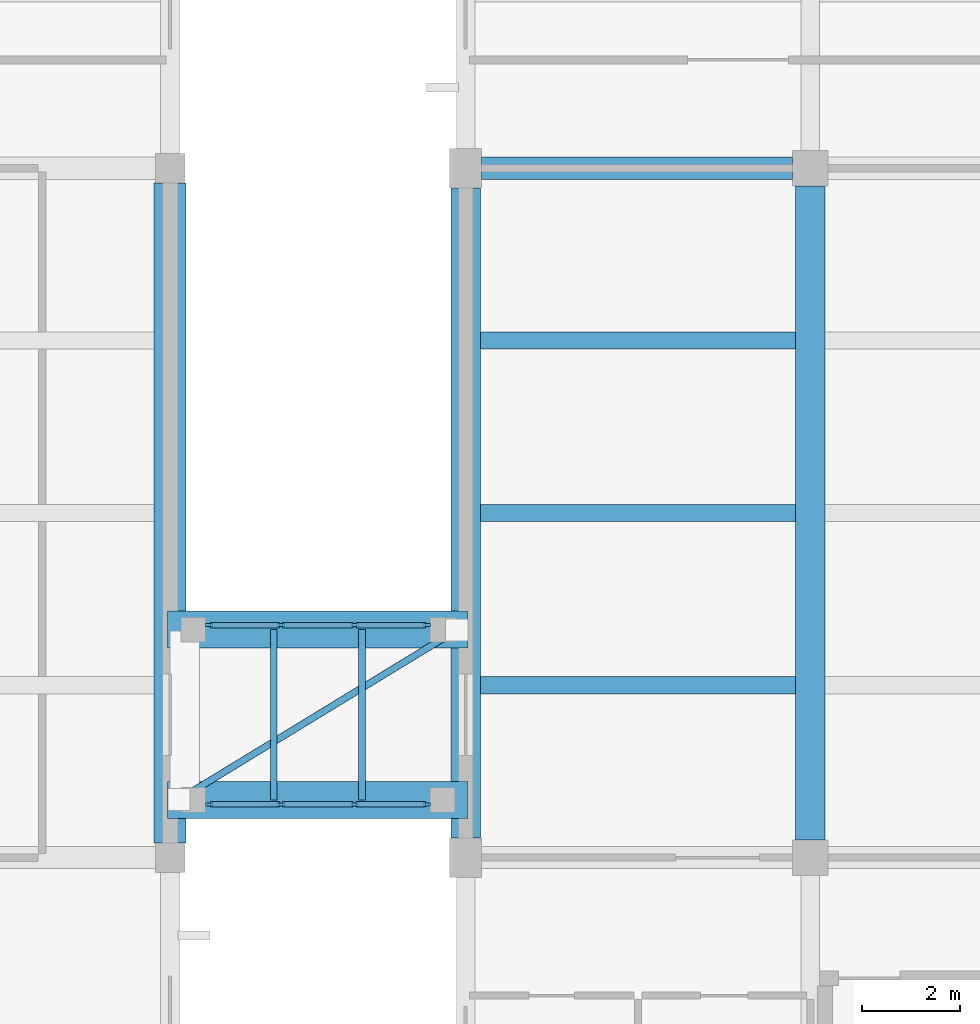
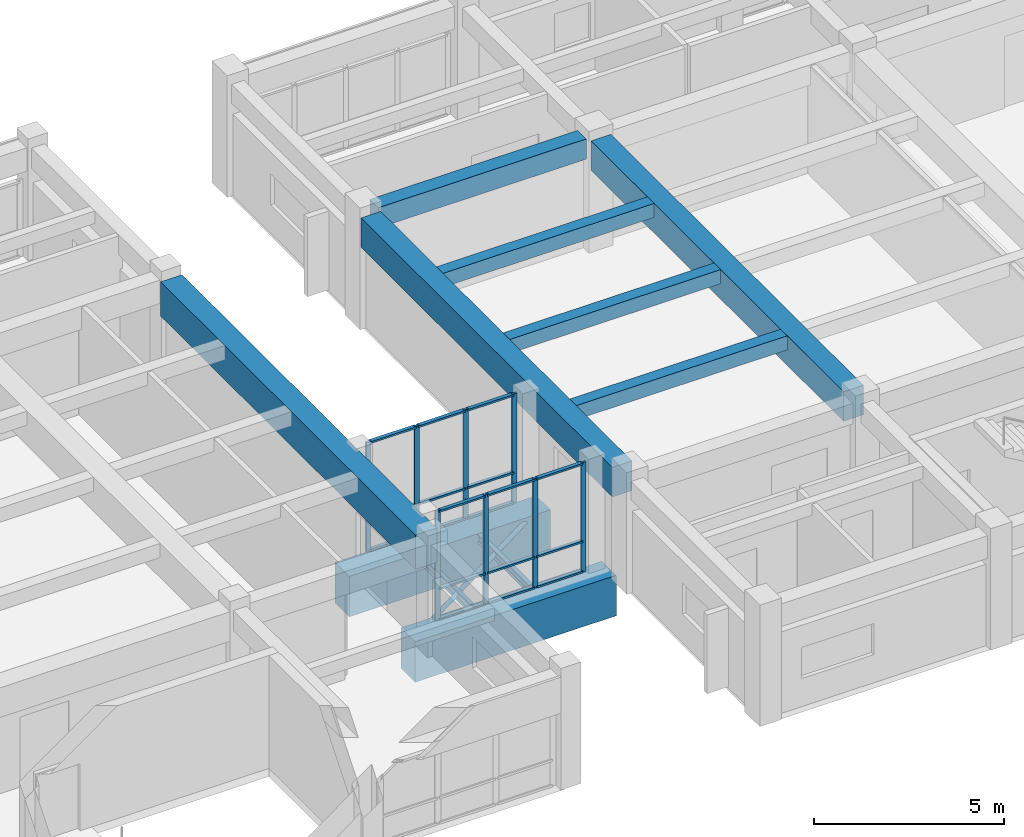
# One storey, part 15 of 66: 27 members, 11 beams, 2 elements without a shape of their own.
"""IFC4 building model written with IfcOpenShell, lengths in metres."""

from ifc_helpers import new_model, si_unit, direction, frame, origin, origin_2d, place, context, subcontext, project, spatial, rectangle, hollow_circle, i_section, extrude, material, layer, layer_set, material_profile, profile_set, type_object, element, aggregate, save


model = new_model("IFC4")

# Units and contexts
model_context = context("Model", 3, precision=1e-05, world=origin(), true_north=direction((0.0, 1.0)))
body_context = subcontext(model_context, "Body", "Model", "MODEL_VIEW")
ifc_project = project(units=[si_unit("LENGTHUNIT", "METRE"), si_unit("AREAUNIT", "SQUARE_METRE"), si_unit("VOLUMEUNIT", "CUBIC_METRE"), si_unit("PLANEANGLEUNIT", "RADIAN"), si_unit("MASSUNIT", "GRAM", prefix="KILO")], contexts=[model_context])

# Site, building, storey
site_placement = place(None, origin())
site = spatial("IfcSite", under=ifc_project, at=site_placement, CompositionType="ELEMENT")
building_placement = place(site_placement, origin())
building = spatial("IfcBuilding", under=site, at=building_placement, Name="Naurynzar Civic Courthouse", CompositionType="ELEMENT")
storey_placement = place(building_placement, frame((0.0, 0.0, 14.39990234375)))
storey = spatial("IfcBuildingStorey", under=building, at=storey_placement, Name="L04", CompositionType="ELEMENT", Elevation=14.39990234375)

# Beams
ifc_material_1 = material(Name="Concrete C40/50", Category="concrete")
ifc_material_profile_1 = material_profile(ifc_material_1, rectangle(XDim=0.60009765625, YDim=0.949951171875, at=origin_2d()), Name="PTB 600x950")
ifc_profile_set_1 = profile_set([ifc_material_profile_1], Name="Concrete C40/50")
beam_type_1 = type_object("IfcBeamType", Name="BM-PT-600x950", PredefinedType="T_BEAM", material=ifc_profile_set_1)
beam_1_placement = place(storey_placement, frame((62.0, 51.39990234375, 3.10498046875), z_axis=(0.0, 1.0, 0.0), x_axis=(-1.0, 0.0, 0.0)))
element("IfcBeam", 1, at=beam_1_placement, inside=storey, type_object=beam_type_1, Name="V2 girder Y-688 L04", PredefinedType="T_BEAM", context=body_context, shape_type="SweptSolid", body=[
    extrude(rectangle(XDim=0.60009765625, YDim=0.949951171875, at=origin_2d()), origin(), (0.0, 0.0, 1.0), 13.2001953125),
])
beam_2_placement = place(storey_placement, frame((69.0, 51.362548828125, 3.10498046875), z_axis=(0.0, 1.0, 0.0), x_axis=(-1.0, 0.0, 0.0)))
element("IfcBeam", 2, at=beam_2_placement, inside=storey, type_object=beam_type_1, Name="V2 girder Y-691 L04", PredefinedType="T_BEAM", context=body_context, shape_type="SweptSolid", body=[
    extrude(rectangle(XDim=0.60009765625, YDim=0.949951171875, at=origin_2d()), origin(), (0.0, 0.0, 1.0), 13.27490234375),
])
ifc_material_2 = material(Name="Concrete C40/50", Category="concrete")
ifc_material_profile_2 = material_profile(ifc_material_2, rectangle(XDim=0.64990234375, YDim=1.10009765625, at=origin_2d()), Name="PTB 650x1100")
ifc_profile_set_2 = profile_set([ifc_material_profile_2], Name="Concrete C40/50")
beam_type_2 = type_object("IfcBeamType", Name="BM-PT-650x1100", PredefinedType="T_BEAM", material=ifc_profile_set_2)
beam_3_placement = place(storey_placement, frame((56.0, 51.300048828125, 3.030029296875), z_axis=(0.0, 1.0, 0.0), x_axis=(-1.0, 0.0, 0.0)))
element("IfcBeam", 3, at=beam_3_placement, inside=storey, type_object=beam_type_2, Name="V1 girder Y-258 L04", PredefinedType="T_BEAM", context=body_context, shape_type="SweptSolid", body=[
    extrude(rectangle(XDim=0.64990234375, YDim=1.10009765625, at=origin_2d()), origin(), (0.0, 0.0, 1.0), 13.39990234375),
])
ifc_material_3 = material(Name="Concrete C40/50", Category="concrete")
ifc_material_profile_3 = material_profile(ifc_material_3, rectangle(XDim=0.35009765625, YDim=0.449951171875, at=origin_2d()), Name="RCB 350x450")
ifc_profile_set_3 = profile_set([ifc_material_profile_3], Name="Concrete C40/50")
beam_type_3 = type_object("IfcBeamType", Name="BM-RC-350x450", PredefinedType="BEAM", material=ifc_profile_set_3)
for number, where, z_axis, x_axis, name in (
    (4, (62.300048828125, 54.5, 3.35498046875), (1.0, 0.0, 0.0), (0.0, 1.0, 0.0), "V2 secondary rib 717 L04"),
    (5, (62.300048828125, 58.0, 3.35498046875), (1.0, 0.0, 0.0), (0.0, 1.0, 0.0), "V2 secondary rib 718 L04"),
    (6, (62.300048828125, 61.5, 3.35498046875), (1.0, 0.0, 0.0), (0.0, 1.0, 0.0), "V2 secondary rib 719 L04"),
):
    element("IfcBeam", number, at=place(storey_placement, frame(where, z_axis=z_axis, x_axis=x_axis)), inside=storey, type_object=beam_type_3, Name=name, PredefinedType="BEAM", context=body_context, shape_type="SweptSolid", body=[
        extrude(rectangle(XDim=0.35009765625, YDim=0.449951171875, at=origin_2d()), origin(), (0.0, 0.0, 1.0), 6.39990234375),
    ])
ifc_material_4 = material(Name="Concrete C40/50", Category="concrete")
ifc_material_profile_4 = material_profile(ifc_material_4, rectangle(XDim=0.449951171875, YDim=0.64990234375, at=origin_2d()), Name="RCB 450x650")
ifc_profile_set_4 = profile_set([ifc_material_profile_4], Name="Concrete C40/50")
beam_type_4 = type_object("IfcBeamType", Name="BM-RC-450x650", PredefinedType="BEAM", material=ifc_profile_set_4)
beam_4_placement = place(storey_placement, frame((62.324951171875, 65.0, 3.255126953125), z_axis=(1.0, 0.0, 0.0), x_axis=(0.0, 1.0, 0.0)))
element("IfcBeam", 7, at=beam_4_placement, inside=storey, type_object=beam_type_4, Name="V2 beam X-671 L04", PredefinedType="BEAM", context=body_context, shape_type="SweptSolid", body=[
    extrude(rectangle(XDim=0.449951171875, YDim=0.64990234375, at=origin_2d()), origin(), (0.0, 0.0, 1.0), 6.3125),
])
ifc_material_5 = material(Name="Steel S355", Category="steel")
ifc_material_profile_5 = material_profile(ifc_material_5, i_section(OverallWidth=0.135009765625, OverallDepth=0.27001953125, WebThickness=0.006591796875, FlangeThickness=0.01025390625, FilletRadius=0.014892578125, at=origin_2d()), Name="IPE 270")
ifc_profile_set_5 = profile_set([ifc_material_profile_5], Name="Steel S355")
beam_type_5 = type_object("IfcBeamType", Name="BM-STL-IPE270", PredefinedType="BEAM", material=ifc_profile_set_5)
for number, where, z_axis, x_axis, name in (
    (8, (58.10595703125, 52.169921875, -0.375), (0.0, 1.0, 0.0), (-1.0, 0.0, 0.0), "BR-N1 deck cross-beam L04.1"),
    (9, (59.89404296875, 52.169921875, -0.375), (0.0, 1.0, 0.0), (-1.0, 0.0, 0.0), "BR-N1 deck cross-beam L04.2"),
):
    element("IfcBeam", number, at=place(storey_placement, frame(where, z_axis=z_axis, x_axis=x_axis)), inside=storey, type_object=beam_type_5, Name=name, PredefinedType="BEAM", context=body_context, shape_type="SweptSolid", body=[
        extrude(i_section(OverallWidth=0.135009765625, OverallDepth=0.27001953125, WebThickness=0.006591796875, FlangeThickness=0.01025390625, FilletRadius=0.014892578125, at=origin_2d()), origin(), (0.0, 0.0, 1.0), 3.4599609375),
    ])
ifc_material_6 = material(Name="Concrete C40/50", Category="concrete")
ifc_material_profile_6 = material_profile(ifc_material_6, rectangle(XDim=0.75, YDim=1.300048828125, at=origin_2d()), Name="RCT 750x1300")
ifc_profile_set_6 = profile_set([ifc_material_profile_6], Name="Concrete C40/50")
beam_type_6 = type_object("IfcBeamType", Name="BM-TR-750x1300", PredefinedType="SPANDREL", material=ifc_profile_set_6)
for number, where, z_axis, x_axis, name in (
    (10, (55.949951171875, 52.169921875, -0.889892578125), (1.0, 0.0, 0.0), (0.0, 1.0, 0.0), "Transfer Girder TG-01"),
    (11, (55.949951171875, 55.6298828125, -0.889892578125), (1.0, 0.0, 0.0), (0.0, 1.0, 0.0), "Transfer Girder TG-01"),
):
    element("IfcBeam", number, at=place(storey_placement, frame(where, z_axis=z_axis, x_axis=x_axis)), inside=storey, type_object=beam_type_6, Name=name, PredefinedType="SPANDREL", context=body_context, shape_type="SweptSolid", body=[
        extrude(rectangle(XDim=0.75, YDim=1.300048828125, at=origin_2d()), origin(), (0.0, 0.0, 1.0), 6.10009765625),
    ])

# Curtain wall, members
ifc_material_7 = material(Name="Aluminium 6063-T6", Category="aluminium")
ifc_layer = layer(ifc_material_7, 0.14990234375)
ifc_layer_set = layer_set([ifc_layer], Name="CW-BRIDGE-1500")
curtain_wall_type = type_object("IfcCurtainWallType", Name="CW-BRIDGE-1500", PredefinedType="USERDEFINED", material=ifc_layer_set)
curtain_wall_1_placement = place(storey_placement, origin())
curtain_wall_1 = element("IfcCurtainWall", 12, at=curtain_wall_1_placement, inside=storey, type_object=curtain_wall_type, Name="BR-N1 glazed bridge screen L04.1", ObjectType="GLAZED BRIDGE SCREEN", PredefinedType="USERDEFINED")
ifc_material_8 = material(Name="Aluminium 6063-T6", Category="aluminium")
ifc_material_profile_7 = material_profile(ifc_material_8, rectangle(XDim=0.06005859375, YDim=0.14990234375, at=origin_2d()), Name="ALU MULLION 60x150")
ifc_profile_set_7 = profile_set([ifc_material_profile_7], Name="Aluminium 6063-T6")
member_type_1 = type_object("IfcMemberType", Name="CWM-60x150", PredefinedType="MULLION", material=ifc_profile_set_7)
member_1_placement = place(storey_placement, frame((56.7900390625, 52.080078125, 0.0), z_axis=(0.0, 0.0, 1.0), x_axis=(0.0, 1.0, 0.0)))
member_1 = element("IfcMember", 13, at=member_1_placement, type_object=member_type_1, Name="CW-03 mullion 1", PredefinedType="MULLION", context=body_context, shape_type="SweptSolid", body=[
    extrude(rectangle(XDim=0.06005859375, YDim=0.14990234375, at=origin_2d()), origin(), (0.0, 0.0, 1.0), 3.52001953125),
])
member_2_placement = place(storey_placement, frame((58.25341796875, 52.080078125, 0.0), z_axis=(0.0, 0.0, 1.0), x_axis=(0.0, 1.0, 0.0)))
member_2 = element("IfcMember", 14, at=member_2_placement, type_object=member_type_1, Name="CW-03 mullion 2", PredefinedType="MULLION", context=body_context, shape_type="SweptSolid", body=[
    extrude(rectangle(XDim=0.06005859375, YDim=0.14990234375, at=origin_2d()), origin(), (0.0, 0.0, 1.0), 3.52001953125),
])
member_3_placement = place(storey_placement, frame((59.74658203125, 52.080078125, 0.0), z_axis=(0.0, 0.0, 1.0), x_axis=(0.0, 1.0, 0.0)))
member_3 = element("IfcMember", 15, at=member_3_placement, type_object=member_type_1, Name="CW-03 mullion 3", PredefinedType="MULLION", context=body_context, shape_type="SweptSolid", body=[
    extrude(rectangle(XDim=0.06005859375, YDim=0.14990234375, at=origin_2d()), origin(), (0.0, 0.0, 1.0), 3.52001953125),
])
member_4_placement = place(storey_placement, frame((61.2099609375, 52.080078125, 0.0), z_axis=(0.0, 0.0, 1.0), x_axis=(0.0, 1.0, 0.0)))
member_4 = element("IfcMember", 16, at=member_4_placement, type_object=member_type_1, Name="CW-03 mullion 4", PredefinedType="MULLION", context=body_context, shape_type="SweptSolid", body=[
    extrude(rectangle(XDim=0.06005859375, YDim=0.14990234375, at=origin_2d()), origin(), (0.0, 0.0, 1.0), 3.52001953125),
])

curtain_wall_2_placement = place(storey_placement, origin())
curtain_wall_2 = element("IfcCurtainWall", 17, at=curtain_wall_2_placement, inside=storey, type_object=curtain_wall_type, Name="BR-N1 glazed bridge screen L04.2", ObjectType="GLAZED BRIDGE SCREEN", PredefinedType="USERDEFINED")
member_5_placement = place(storey_placement, frame((61.2099609375, 55.719970703125, 0.0), z_axis=(0.0, 0.0, 1.0), x_axis=(0.0, -1.0, 0.0)))
member_5 = element("IfcMember", 18, at=member_5_placement, type_object=member_type_1, Name="CW-03 mullion 1", PredefinedType="MULLION", context=body_context, shape_type="SweptSolid", body=[
    extrude(rectangle(XDim=0.06005859375, YDim=0.14990234375, at=origin_2d()), origin(), (0.0, 0.0, 1.0), 3.52001953125),
])
member_6_placement = place(storey_placement, frame((59.74658203125, 55.719970703125, 0.0), z_axis=(0.0, 0.0, 1.0), x_axis=(0.0, -1.0, 0.0)))
member_6 = element("IfcMember", 19, at=member_6_placement, type_object=member_type_1, Name="CW-03 mullion 2", PredefinedType="MULLION", context=body_context, shape_type="SweptSolid", body=[
    extrude(rectangle(XDim=0.06005859375, YDim=0.14990234375, at=origin_2d()), origin(), (0.0, 0.0, 1.0), 3.52001953125),
])
member_7_placement = place(storey_placement, frame((58.25341796875, 55.719970703125, 0.0), z_axis=(0.0, 0.0, 1.0), x_axis=(0.0, -1.0, 0.0)))
member_7 = element("IfcMember", 20, at=member_7_placement, type_object=member_type_1, Name="CW-03 mullion 3", PredefinedType="MULLION", context=body_context, shape_type="SweptSolid", body=[
    extrude(rectangle(XDim=0.06005859375, YDim=0.14990234375, at=origin_2d()), origin(), (0.0, 0.0, 1.0), 3.52001953125),
])
member_8_placement = place(storey_placement, frame((56.7900390625, 55.719970703125, 0.0), z_axis=(0.0, 0.0, 1.0), x_axis=(0.0, -1.0, 0.0)))
member_8 = element("IfcMember", 21, at=member_8_placement, type_object=member_type_1, Name="CW-03 mullion 4", PredefinedType="MULLION", context=body_context, shape_type="SweptSolid", body=[
    extrude(rectangle(XDim=0.06005859375, YDim=0.14990234375, at=origin_2d()), origin(), (0.0, 0.0, 1.0), 3.52001953125),
])

# Member
ifc_material_9 = material(Name="Aluminium 6063-T6", Category="aluminium")
ifc_material_profile_8 = material_profile(ifc_material_9, rectangle(XDim=0.110107421875, YDim=0.06005859375, at=origin_2d()), Name="ALU TRANSOM 60x110")
ifc_profile_set_8 = profile_set([ifc_material_profile_8], Name="Aluminium 6063-T6")
member_type_2 = type_object("IfcMemberType", Name="CWT-60x110", PredefinedType="USERDEFINED", material=ifc_profile_set_8)
member_9_placement = place(storey_placement, frame((56.820068359375, 52.080078125, 0.030029296875), z_axis=(1.0, 0.0, 0.0), x_axis=(0.0, 1.0, 0.0)))
member_9 = element("IfcMember", 22, at=member_9_placement, type_object=member_type_2, Name="CW-03 transom 1.1", ObjectType="TRANSOM", PredefinedType="USERDEFINED", context=body_context, shape_type="SweptSolid", body=[
    extrude(rectangle(XDim=0.110107421875, YDim=0.06005859375, at=origin_2d()), origin(), (0.0, 0.0, 1.0), 1.4033203125),
])

member_10_placement = place(storey_placement, frame((56.820068359375, 52.080078125, 1.0), z_axis=(1.0, 0.0, 0.0), x_axis=(0.0, 1.0, 0.0)))
member_10 = element("IfcMember", 23, at=member_10_placement, type_object=member_type_2, Name="CW-03 transom 1.2", ObjectType="TRANSOM", PredefinedType="USERDEFINED", context=body_context, shape_type="SweptSolid", body=[
    extrude(rectangle(XDim=0.110107421875, YDim=0.06005859375, at=origin_2d()), origin(), (0.0, 0.0, 1.0), 1.4033203125),
])

member_11_placement = place(storey_placement, frame((56.820068359375, 52.080078125, 3.489990234375), z_axis=(1.0, 0.0, 0.0), x_axis=(0.0, 1.0, 0.0)))
member_11 = element("IfcMember", 24, at=member_11_placement, type_object=member_type_2, Name="CW-03 transom 1.3", ObjectType="TRANSOM", PredefinedType="USERDEFINED", context=body_context, shape_type="SweptSolid", body=[
    extrude(rectangle(XDim=0.110107421875, YDim=0.06005859375, at=origin_2d()), origin(), (0.0, 0.0, 1.0), 1.4033203125),
])

member_12_placement = place(storey_placement, frame((58.283447265625, 52.080078125, 0.030029296875), z_axis=(1.0, 0.0, 0.0), x_axis=(0.0, 1.0, 0.0)))
member_12 = element("IfcMember", 25, at=member_12_placement, type_object=member_type_2, Name="CW-03 transom 2.1", ObjectType="TRANSOM", PredefinedType="USERDEFINED", context=body_context, shape_type="SweptSolid", body=[
    extrude(rectangle(XDim=0.110107421875, YDim=0.06005859375, at=origin_2d()), origin(), (0.0, 0.0, 1.0), 1.43310546875),
])

member_13_placement = place(storey_placement, frame((58.283447265625, 52.080078125, 1.0), z_axis=(1.0, 0.0, 0.0), x_axis=(0.0, 1.0, 0.0)))
member_13 = element("IfcMember", 26, at=member_13_placement, type_object=member_type_2, Name="CW-03 transom 2.2", ObjectType="TRANSOM", PredefinedType="USERDEFINED", context=body_context, shape_type="SweptSolid", body=[
    extrude(rectangle(XDim=0.110107421875, YDim=0.06005859375, at=origin_2d()), origin(), (0.0, 0.0, 1.0), 1.43310546875),
])

member_14_placement = place(storey_placement, frame((58.283447265625, 52.080078125, 3.489990234375), z_axis=(1.0, 0.0, 0.0), x_axis=(0.0, 1.0, 0.0)))
member_14 = element("IfcMember", 27, at=member_14_placement, type_object=member_type_2, Name="CW-03 transom 2.3", ObjectType="TRANSOM", PredefinedType="USERDEFINED", context=body_context, shape_type="SweptSolid", body=[
    extrude(rectangle(XDim=0.110107421875, YDim=0.06005859375, at=origin_2d()), origin(), (0.0, 0.0, 1.0), 1.43310546875),
])

member_15_placement = place(storey_placement, frame((59.776611328125, 52.080078125, 0.030029296875), z_axis=(1.0, 0.0, 0.0), x_axis=(0.0, 1.0, 0.0)))
member_15 = element("IfcMember", 28, at=member_15_placement, type_object=member_type_2, Name="CW-03 transom 3.1", ObjectType="TRANSOM", PredefinedType="USERDEFINED", context=body_context, shape_type="SweptSolid", body=[
    extrude(rectangle(XDim=0.110107421875, YDim=0.06005859375, at=origin_2d()), origin(), (0.0, 0.0, 1.0), 1.4033203125),
])

member_16_placement = place(storey_placement, frame((59.776611328125, 52.080078125, 1.0), z_axis=(1.0, 0.0, 0.0), x_axis=(0.0, 1.0, 0.0)))
member_16 = element("IfcMember", 29, at=member_16_placement, type_object=member_type_2, Name="CW-03 transom 3.2", ObjectType="TRANSOM", PredefinedType="USERDEFINED", context=body_context, shape_type="SweptSolid", body=[
    extrude(rectangle(XDim=0.110107421875, YDim=0.06005859375, at=origin_2d()), origin(), (0.0, 0.0, 1.0), 1.4033203125),
])

member_17_placement = place(storey_placement, frame((59.776611328125, 52.080078125, 3.489990234375), z_axis=(1.0, 0.0, 0.0), x_axis=(0.0, 1.0, 0.0)))
member_17 = element("IfcMember", 30, at=member_17_placement, type_object=member_type_2, Name="CW-03 transom 3.3", ObjectType="TRANSOM", PredefinedType="USERDEFINED", context=body_context, shape_type="SweptSolid", body=[
    extrude(rectangle(XDim=0.110107421875, YDim=0.06005859375, at=origin_2d()), origin(), (0.0, 0.0, 1.0), 1.4033203125),
])

aggregate(curtain_wall_1, [member_1, member_2, member_3, member_4, member_9, member_10, member_11, member_12, member_13, member_14, member_15, member_16, member_17])

member_18_placement = place(storey_placement, frame((61.179931640625, 55.719970703125, 0.030029296875), z_axis=(-1.0, 0.0, 0.0), x_axis=(0.0, -1.0, 0.0)))
member_18 = element("IfcMember", 31, at=member_18_placement, type_object=member_type_2, Name="CW-03 transom 1.1", ObjectType="TRANSOM", PredefinedType="USERDEFINED", context=body_context, shape_type="SweptSolid", body=[
    extrude(rectangle(XDim=0.110107421875, YDim=0.06005859375, at=origin_2d()), origin(), (0.0, 0.0, 1.0), 1.4033203125),
])

member_19_placement = place(storey_placement, frame((61.179931640625, 55.719970703125, 1.0), z_axis=(-1.0, 0.0, 0.0), x_axis=(0.0, -1.0, 0.0)))
member_19 = element("IfcMember", 32, at=member_19_placement, type_object=member_type_2, Name="CW-03 transom 1.2", ObjectType="TRANSOM", PredefinedType="USERDEFINED", context=body_context, shape_type="SweptSolid", body=[
    extrude(rectangle(XDim=0.110107421875, YDim=0.06005859375, at=origin_2d()), origin(), (0.0, 0.0, 1.0), 1.4033203125),
])

member_20_placement = place(storey_placement, frame((61.179931640625, 55.719970703125, 3.489990234375), z_axis=(-1.0, 0.0, 0.0), x_axis=(0.0, -1.0, 0.0)))
member_20 = element("IfcMember", 33, at=member_20_placement, type_object=member_type_2, Name="CW-03 transom 1.3", ObjectType="TRANSOM", PredefinedType="USERDEFINED", context=body_context, shape_type="SweptSolid", body=[
    extrude(rectangle(XDim=0.110107421875, YDim=0.06005859375, at=origin_2d()), origin(), (0.0, 0.0, 1.0), 1.4033203125),
])

member_21_placement = place(storey_placement, frame((59.716552734375, 55.719970703125, 0.030029296875), z_axis=(-1.0, 0.0, 0.0), x_axis=(0.0, -1.0, 0.0)))
member_21 = element("IfcMember", 34, at=member_21_placement, type_object=member_type_2, Name="CW-03 transom 2.1", ObjectType="TRANSOM", PredefinedType="USERDEFINED", context=body_context, shape_type="SweptSolid", body=[
    extrude(rectangle(XDim=0.110107421875, YDim=0.06005859375, at=origin_2d()), origin(), (0.0, 0.0, 1.0), 1.43310546875),
])

member_22_placement = place(storey_placement, frame((59.716552734375, 55.719970703125, 1.0), z_axis=(-1.0, 0.0, 0.0), x_axis=(0.0, -1.0, 0.0)))
member_22 = element("IfcMember", 35, at=member_22_placement, type_object=member_type_2, Name="CW-03 transom 2.2", ObjectType="TRANSOM", PredefinedType="USERDEFINED", context=body_context, shape_type="SweptSolid", body=[
    extrude(rectangle(XDim=0.110107421875, YDim=0.06005859375, at=origin_2d()), origin(), (0.0, 0.0, 1.0), 1.43310546875),
])

member_23_placement = place(storey_placement, frame((59.716552734375, 55.719970703125, 3.489990234375), z_axis=(-1.0, 0.0, 0.0), x_axis=(0.0, -1.0, 0.0)))
member_23 = element("IfcMember", 36, at=member_23_placement, type_object=member_type_2, Name="CW-03 transom 2.3", ObjectType="TRANSOM", PredefinedType="USERDEFINED", context=body_context, shape_type="SweptSolid", body=[
    extrude(rectangle(XDim=0.110107421875, YDim=0.06005859375, at=origin_2d()), origin(), (0.0, 0.0, 1.0), 1.43310546875),
])

member_24_placement = place(storey_placement, frame((58.223388671875, 55.719970703125, 0.030029296875), z_axis=(-1.0, 0.0, 0.0), x_axis=(0.0, -1.0, 0.0)))
member_24 = element("IfcMember", 37, at=member_24_placement, type_object=member_type_2, Name="CW-03 transom 3.1", ObjectType="TRANSOM", PredefinedType="USERDEFINED", context=body_context, shape_type="SweptSolid", body=[
    extrude(rectangle(XDim=0.110107421875, YDim=0.06005859375, at=origin_2d()), origin(), (0.0, 0.0, 1.0), 1.4033203125),
])

member_25_placement = place(storey_placement, frame((58.223388671875, 55.719970703125, 1.0), z_axis=(-1.0, 0.0, 0.0), x_axis=(0.0, -1.0, 0.0)))
member_25 = element("IfcMember", 38, at=member_25_placement, type_object=member_type_2, Name="CW-03 transom 3.2", ObjectType="TRANSOM", PredefinedType="USERDEFINED", context=body_context, shape_type="SweptSolid", body=[
    extrude(rectangle(XDim=0.110107421875, YDim=0.06005859375, at=origin_2d()), origin(), (0.0, 0.0, 1.0), 1.4033203125),
])

member_26_placement = place(storey_placement, frame((58.223388671875, 55.719970703125, 3.489990234375), z_axis=(-1.0, 0.0, 0.0), x_axis=(0.0, -1.0, 0.0)))
member_26 = element("IfcMember", 39, at=member_26_placement, type_object=member_type_2, Name="CW-03 transom 3.3", ObjectType="TRANSOM", PredefinedType="USERDEFINED", context=body_context, shape_type="SweptSolid", body=[
    extrude(rectangle(XDim=0.110107421875, YDim=0.06005859375, at=origin_2d()), origin(), (0.0, 0.0, 1.0), 1.4033203125),
])

aggregate(curtain_wall_2, [member_5, member_6, member_7, member_8, member_18, member_19, member_20, member_21, member_22, member_23, member_24, member_25, member_26])

ifc_material_10 = material(Name="Steel S355", Category="steel")
ifc_material_profile_9 = material_profile(ifc_material_10, hollow_circle(Radius=0.06982421875, WallThickness=0.008056640625, at=origin_2d()), Name="CHS 139.7x8")
ifc_profile_set_9 = profile_set([ifc_material_profile_9], Name="Steel S355")
member_type_3 = type_object("IfcMemberType", Name="MEM-BRACE-CHS139", PredefinedType="BRACE", material=ifc_profile_set_9)
member_27_placement = place(storey_placement, frame((56.179931640625, 52.179931640625, -0.40478515625), z_axis=(0.853723652651, 0.520726343585, 0.0), x_axis=(-0.520726343585, 0.853723652651, 0.0)))
element("IfcMember", 40, at=member_27_placement, inside=storey, type_object=member_type_3, Name="BR-N1 wind brace L04.1", PredefinedType="BRACE", context=body_context, shape_type="SweptSolid", body=[
    extrude(hollow_circle(Radius=0.06982421875, WallThickness=0.008056640625, at=origin_2d()), origin(), (0.0, 0.0, 1.0), 6.6064453125),
])

save(model, "model.ifc")
